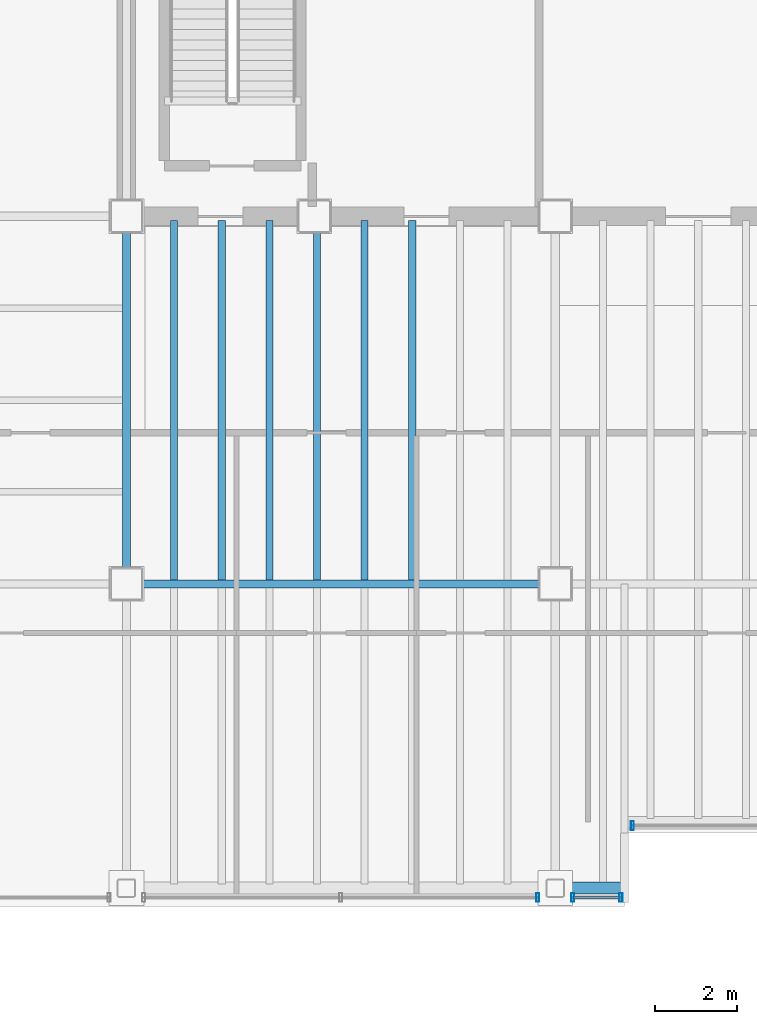
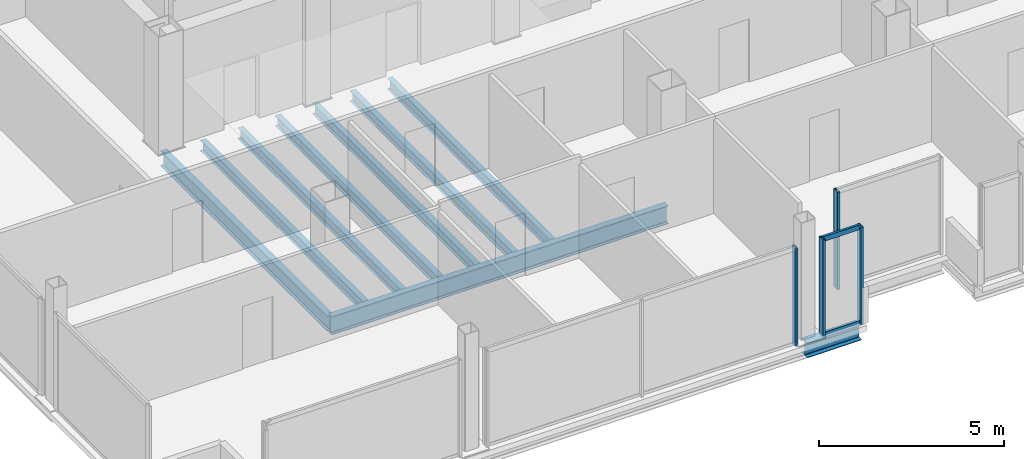
# One storey, part 5 of 17: 9 beams, 6 members, 3 elements without a shape of their own.
"""IFC4 building model written with IfcOpenShell, lengths in metres."""

from ifc_helpers import new_model, si_unit, direction, frame, origin, origin_2d, place, context, subcontext, project, spatial, hollow_rectangle, i_section, extrude, material, material_profile, profile_set, type_object, element, aggregate, save


model = new_model("IFC4")

# Units and contexts
model_context = context("Model", 3, precision=1e-05, world=origin(), true_north=direction((0.0, 1.0)))
body_context = subcontext(model_context, "Body", "Model", "MODEL_VIEW")
ifc_project = project(units=[si_unit("LENGTHUNIT", "METRE"), si_unit("AREAUNIT", "SQUARE_METRE"), si_unit("VOLUMEUNIT", "CUBIC_METRE"), si_unit("PLANEANGLEUNIT", "RADIAN"), si_unit("MASSUNIT", "GRAM", prefix="KILO")], contexts=[model_context])

# Site, building, storey
site_placement = place(None, origin())
site = spatial("IfcSite", under=ifc_project, at=site_placement, CompositionType="ELEMENT")
building_placement = place(site_placement, origin())
building = spatial("IfcBuilding", under=site, at=building_placement, Name="Noeulbin Bourse Tower", CompositionType="ELEMENT")
storey_placement = place(building_placement, frame((0.0, 0.0, 250.10009765625)))
storey = spatial("IfcBuildingStorey", under=building, at=storey_placement, Name="L62", CompositionType="ELEMENT", Elevation=250.10009765625)

# Beams
ifc_material_1 = material(Name="Steel S355", Category="steel")
ifc_material_profile_1 = material_profile(ifc_material_1, i_section(OverallWidth=0.199951171875, OverallDepth=0.5, WebThickness=0.010009765625, FlangeThickness=0.01611328125, FilletRadius=0.02001953125, at=origin_2d()), Name="H-500x200x10x16", Category="LoadBearing")
ifc_profile_set_1 = profile_set([ifc_material_profile_1], Name="Steel S355")
beam_type_1 = type_object("IfcBeamType", Name="BM-GRD-500", PredefinedType="USERDEFINED", material=ifc_profile_set_1)
beam_1_placement = place(storey_placement, frame((13.5, 20.0, -0.43017578125), z_axis=(0.0, 1.0, 0.0), x_axis=(-1.0, 0.0, 0.0)))
element("IfcBeam", 1, at=beam_1_placement, inside=storey, type_object=beam_type_1, Name="Tower Primary Girder NS L62-1.2", ObjectType="GIRDER", PredefinedType="USERDEFINED", context=body_context, shape_type="SweptSolid", body=[
    extrude(i_section(OverallWidth=0.199951171875, OverallDepth=0.5, WebThickness=0.010009765625, FlangeThickness=0.01611328125, FilletRadius=0.02001953125, at=origin_2d()), origin(), (0.0, 0.0, 1.0), 9.0),
])
ifc_material_profile_2 = material_profile(ifc_material_1, i_section(OverallWidth=0.199951171875, OverallDepth=0.60009765625, WebThickness=0.010986328125, FlangeThickness=0.01708984375, FilletRadius=0.02197265625, at=origin_2d()), Name="H-600x200x11x17", Category="LoadBearing")
ifc_profile_set_2 = profile_set([ifc_material_profile_2], Name="Steel S355")
beam_type_2 = type_object("IfcBeamType", Name="BM-GRD-600", PredefinedType="USERDEFINED", material=ifc_profile_set_2)
beam_2_placement = place(storey_placement, frame((13.5, 20.0, -0.47998046875), z_axis=(1.0, 0.0, 0.0), x_axis=(0.0, 1.0, 0.0)))
element("IfcBeam", 2, at=beam_2_placement, inside=storey, type_object=beam_type_2, Name="Tower Primary Girder EW L62-1.2", ObjectType="GIRDER", PredefinedType="USERDEFINED", context=body_context, shape_type="SweptSolid", body=[
    extrude(i_section(OverallWidth=0.199951171875, OverallDepth=0.60009765625, WebThickness=0.010986328125, FlangeThickness=0.01708984375, FilletRadius=0.02197265625, at=origin_2d()), origin(), (0.0, 0.0, 1.0), 10.5),
])
ifc_material_profile_3 = material_profile(ifc_material_1, i_section(OverallWidth=0.175048828125, OverallDepth=0.35009765625, WebThickness=0.007080078125, FlangeThickness=0.010986328125, FilletRadius=0.013916015625, at=origin_2d()), Name="H-350x175x7x11", Category="LoadBearing")
ifc_profile_set_3 = profile_set([ifc_material_profile_3], Name="Steel S355")
beam_type_3 = type_object("IfcBeamType", Name="BM-JST-350", PredefinedType="JOIST", material=ifc_profile_set_3)
for number, where, z_axis, x_axis, name in (
    (3, (14.666748046875, 20.10009765625, -0.35498046875), (0.0, 1.0, 0.0), (-1.0, 0.0, 0.0), "Tower Composite Joist L62-02"),
    (4, (15.833251953125, 20.10009765625, -0.35498046875), (0.0, 1.0, 0.0), (-1.0, 0.0, 0.0), "Tower Composite Joist L62-04"),
    (5, (17.0, 20.10009765625, -0.35498046875), (0.0, 1.0, 0.0), (-1.0, 0.0, 0.0), "Tower Composite Joist L62-06"),
    (6, (18.166748046875, 20.10009765625, -0.35498046875), (0.0, 1.0, 0.0), (-1.0, 0.0, 0.0), "Tower Composite Joist L62-08"),
    (7, (19.333251953125, 20.10009765625, -0.35498046875), (0.0, 1.0, 0.0), (-1.0, 0.0, 0.0), "Tower Composite Joist L62-10"),
    (8, (20.5, 20.10009765625, -0.35498046875), (0.0, 1.0, 0.0), (-1.0, 0.0, 0.0), "Tower Composite Joist L62-12"),
):
    element("IfcBeam", number, at=place(storey_placement, frame(where, z_axis=z_axis, x_axis=x_axis)), inside=storey, type_object=beam_type_3, Name=name, PredefinedType="JOIST", context=body_context, shape_type="SweptSolid", body=[
        extrude(i_section(OverallWidth=0.175048828125, OverallDepth=0.35009765625, WebThickness=0.007080078125, FlangeThickness=0.010986328125, FilletRadius=0.013916015625, at=origin_2d()), origin(), (0.0, 0.0, 1.0), 8.7998046875),
    ])
ifc_material_profile_4 = material_profile(ifc_material_1, i_section(OverallWidth=0.300048828125, OverallDepth=0.488037109375, WebThickness=0.010986328125, FlangeThickness=0.01806640625, FilletRadius=0.02197265625, at=origin_2d()), Name="H-488x300x11x18", Category="LoadBearing")
ifc_profile_set_4 = profile_set([ifc_material_profile_4], Name="Steel S355")
beam_type_4 = type_object("IfcBeamType", Name="BM-SPN-488", PredefinedType="SPANDREL", material=ifc_profile_set_4)
beam_3_placement = place(storey_placement, frame((24.0, 12.550048828125, -0.424072265625), z_axis=(1.0, 0.0, 0.0), x_axis=(0.0, 1.0, 0.0)))
element("IfcBeam", 9, at=beam_3_placement, inside=storey, type_object=beam_type_4, Name="South Spandrel L62-2A", PredefinedType="SPANDREL", context=body_context, shape_type="SweptSolid", body=[
    extrude(i_section(OverallWidth=0.300048828125, OverallDepth=0.488037109375, WebThickness=0.010986328125, FlangeThickness=0.01806640625, FilletRadius=0.02197265625, at=origin_2d()), origin(), (0.0, 0.0, 1.0), 1.699951171875),
])

# Curtain wall, member
ifc_material_2 = material(Name="High-Selectivity Low-Iron Glazing", Category="glass")
curtain_wall_type = type_object("IfcCurtainWallType", Name="CW-SYS-4", PredefinedType="NOTDEFINED", material=ifc_material_2)
curtain_wall_1_placement = place(storey_placement, origin())
curtain_wall_1 = element("IfcCurtainWall", 10, at=curtain_wall_1_placement, inside=storey, type_object=curtain_wall_type, Name="Unitised Curtain Wall CW-L62-SREC", PredefinedType="NOTDEFINED")
ifc_material_3 = material(Name="Anodised Aluminium 6063-T6", Category="aluminium")
ifc_material_profile_5 = material_profile(ifc_material_3, hollow_rectangle(XDim=0.074951171875, YDim=0.219970703125, WallThickness=0.0048828125, InnerFilletRadius=0.00244140625, OuterFilletRadius=0.0048828125, at=origin_2d()), Name="ALU-MULL-75x220x5", Category="LoadBearing")
ifc_profile_set_5 = profile_set([ifc_material_profile_5], Name="Anodised Aluminium 6063-T6")
member_type_1 = type_object("IfcMemberType", Name="CW-SYS-4-MUL", PredefinedType="MULLION", material=ifc_profile_set_5)
member_1_placement = place(storey_placement, frame((25.889892578125, 14.080078125, -0.02001953125), z_axis=(0.0, 0.0, 1.0), x_axis=(1.0, 0.0, 0.0)))
member_1 = element("IfcMember", 11, at=member_1_placement, type_object=member_type_1, Name="Curtain Wall Mullion CW-L62-SREC-M00", PredefinedType="MULLION", context=body_context, shape_type="SweptSolid", body=[
    extrude(hollow_rectangle(XDim=0.074951171875, YDim=0.219970703125, WallThickness=0.0048828125, InnerFilletRadius=0.00244140625, OuterFilletRadius=0.0048828125, at=origin_2d()), origin(), (0.0, 0.0, 1.0), 3.219970703125),
])
aggregate(curtain_wall_1, [member_1])

curtain_wall_2_placement = place(storey_placement, origin())
curtain_wall_2 = element("IfcCurtainWall", 12, at=curtain_wall_2_placement, inside=storey, type_object=curtain_wall_type, Name="Unitised Curtain Wall CW-L62-S1-S2", PredefinedType="NOTDEFINED")
member_2_placement = place(storey_placement, frame((23.574951171875, 12.320068359375, -0.02001953125), z_axis=(0.0, 0.0, 1.0), x_axis=(1.0, 0.0, 0.0)))
member_2 = element("IfcMember", 13, at=member_2_placement, type_object=member_type_1, Name="Curtain Wall Mullion CW-L62-S1-S2-M02", PredefinedType="MULLION", context=body_context, shape_type="SweptSolid", body=[
    extrude(hollow_rectangle(XDim=0.074951171875, YDim=0.219970703125, WallThickness=0.0048828125, InnerFilletRadius=0.00244140625, OuterFilletRadius=0.0048828125, at=origin_2d()), origin(), (0.0, 0.0, 1.0), 3.219970703125),
])
aggregate(curtain_wall_2, [member_2])

# Curtain wall, members
curtain_wall_3_placement = place(storey_placement, origin())
curtain_wall_3 = element("IfcCurtainWall", 14, at=curtain_wall_3_placement, inside=storey, type_object=curtain_wall_type, Name="Unitised Curtain Wall CW-L62-S1-S3", PredefinedType="NOTDEFINED")
member_3_placement = place(storey_placement, frame((24.425048828125, 12.320068359375, -0.02001953125), z_axis=(0.0, 0.0, 1.0), x_axis=(1.0, 0.0, 0.0)))
member_3 = element("IfcMember", 15, at=member_3_placement, type_object=member_type_1, Name="Curtain Wall Mullion CW-L62-S1-S3-M00", PredefinedType="MULLION", context=body_context, shape_type="SweptSolid", body=[
    extrude(hollow_rectangle(XDim=0.074951171875, YDim=0.219970703125, WallThickness=0.0048828125, InnerFilletRadius=0.00244140625, OuterFilletRadius=0.0048828125, at=origin_2d()), origin(), (0.0, 0.0, 1.0), 3.219970703125),
])
member_4_placement = place(storey_placement, frame((25.610107421875, 12.320068359375, -0.02001953125), z_axis=(0.0, 0.0, 1.0), x_axis=(1.0, 0.0, 0.0)))
member_4 = element("IfcMember", 16, at=member_4_placement, type_object=member_type_1, Name="Curtain Wall Mullion CW-L62-S1-S3-M01", PredefinedType="MULLION", context=body_context, shape_type="SweptSolid", body=[
    extrude(hollow_rectangle(XDim=0.074951171875, YDim=0.219970703125, WallThickness=0.0048828125, InnerFilletRadius=0.00244140625, OuterFilletRadius=0.0048828125, at=origin_2d()), origin(), (0.0, 0.0, 1.0), 3.219970703125),
])
ifc_material_profile_6 = material_profile(ifc_material_3, hollow_rectangle(XDim=0.074951171875, YDim=0.159912109375, WallThickness=0.0048828125, InnerFilletRadius=0.00244140625, OuterFilletRadius=0.0048828125, at=origin_2d()), Name="ALU-TRAN-75x160x5", Category="LoadBearing")
ifc_profile_set_6 = profile_set([ifc_material_profile_6], Name="Anodised Aluminium 6063-T6")
member_type_2 = type_object("IfcMemberType", Name="CW-SYS-4-TRN", PredefinedType="USERDEFINED", material=ifc_profile_set_6)
member_5_placement = place(storey_placement, frame((24.43505859375, 12.320068359375, 0.010009765625), z_axis=(1.0, 0.0, 0.0), x_axis=(0.0, 1.0, 0.0)))
member_5 = element("IfcMember", 17, at=member_5_placement, type_object=member_type_2, Name="Curtain Wall Transom CW-L62-S1-S3-T00", ObjectType="TRANSOM", PredefinedType="USERDEFINED", context=body_context, shape_type="SweptSolid", body=[
    extrude(hollow_rectangle(XDim=0.074951171875, YDim=0.159912109375, WallThickness=0.0048828125, InnerFilletRadius=0.00244140625, OuterFilletRadius=0.0048828125, at=origin_2d()), origin(), (0.0, 0.0, 1.0), 1.1650390625),
])
member_6_placement = place(storey_placement, frame((24.43505859375, 12.320068359375, 3.169921875), z_axis=(1.0, 0.0, 0.0), x_axis=(0.0, 1.0, 0.0)))
member_6 = element("IfcMember", 18, at=member_6_placement, type_object=member_type_2, Name="Curtain Wall Transom CW-L62-S1-S3-T01", ObjectType="TRANSOM", PredefinedType="USERDEFINED", context=body_context, shape_type="SweptSolid", body=[
    extrude(hollow_rectangle(XDim=0.074951171875, YDim=0.159912109375, WallThickness=0.0048828125, InnerFilletRadius=0.00244140625, OuterFilletRadius=0.0048828125, at=origin_2d()), origin(), (0.0, 0.0, 1.0), 1.1650390625),
])
aggregate(curtain_wall_3, [member_3, member_4, member_5, member_6])

save(model, "model.ifc")
